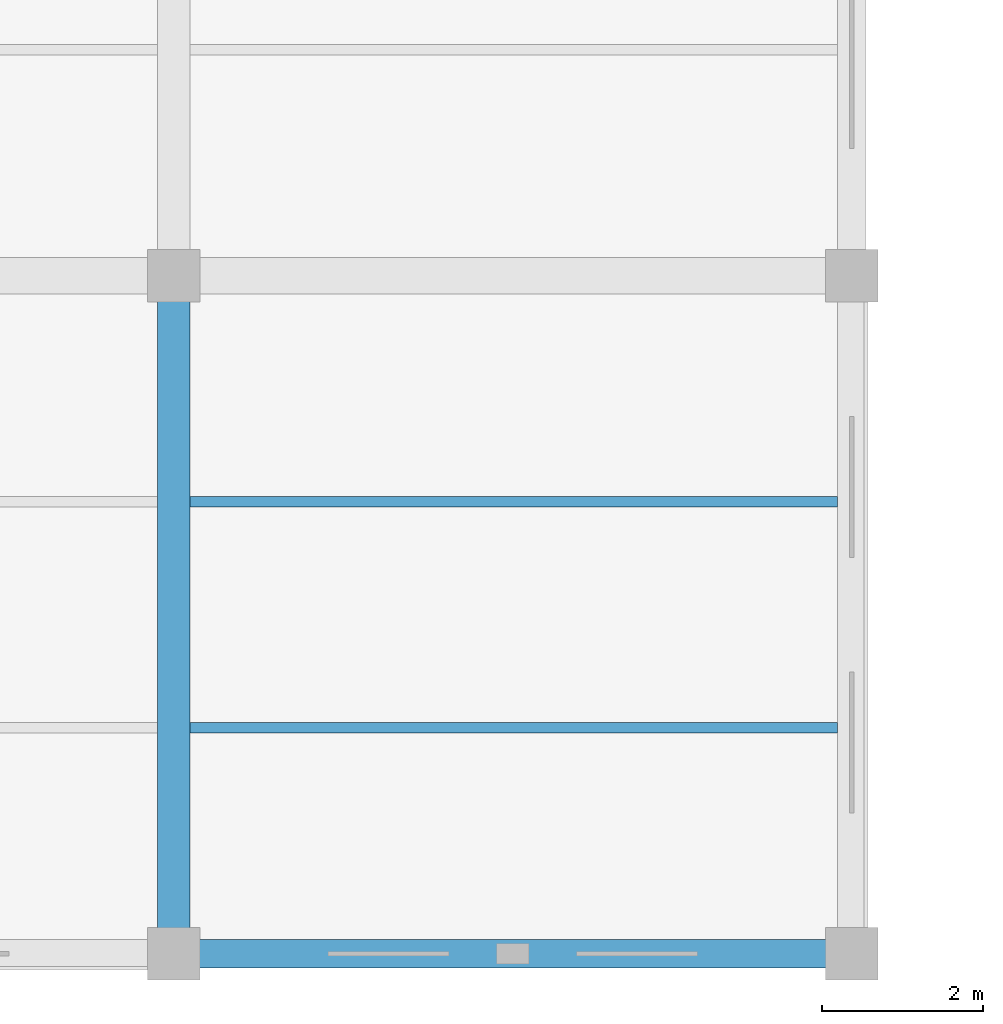
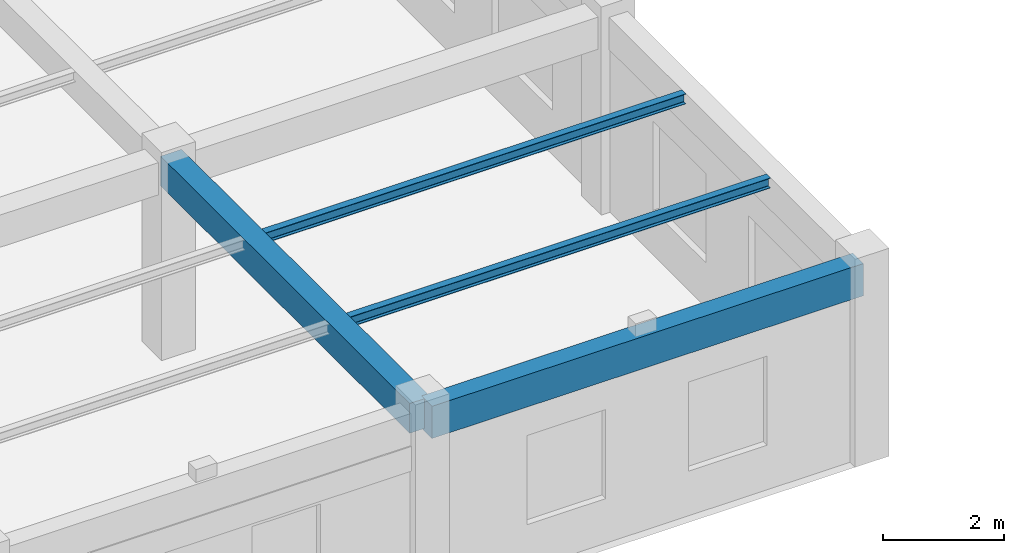
# One storey, part 17 of 138: 4 beams.
"""IFC4 building model written with IfcOpenShell, lengths in metres."""

import ifcopenshell
import ifcopenshell.guid

model = None  # the IFC model being written
_history = None  # IfcOwnerHistory: only IFC2X3 demands one
_inside = {}  # id of a spatial element -> (the spatial element, [elements in it])
_under = {}  # id of a project, library or spatial element -> (it, [spatial elements below it])
_declared = {}  # id of a project -> (the project, [libraries it declares])
_typed = {}  # id of a type object -> (the type object, [elements of that type])
_made_of = {}  # id of a material, layer set ... -> (it, [elements and type objects made of it])


def new_model(schema):
    """Start an empty IFC model of exactly this schema.

    Asked for "IFC4X3", IfcOpenShell would pick the latest addendum, in which some entities
    have other attributes; the version numbers below select the first issue.
    IFC2X3 requires an IfcOwnerHistory on every rooted entity: one is made here for all.
    """
    global model, _history
    if schema == "IFC4X3":
        model = ifcopenshell.file(schema_version=(4, 3, 0, 0))
    else:
        model = ifcopenshell.file(schema=schema)
    _inside.clear()
    _under.clear()
    _declared.clear()
    _typed.clear()
    _made_of.clear()
    _history = None
    if model.schema == "IFC2X3":
        org = make("IfcOrganization", Name="unknown")
        user = make(
            "IfcPersonAndOrganization",
            ThePerson=make("IfcPerson", FamilyName="unknown"),
            TheOrganization=org,
        )
        app = make(
            "IfcApplication",
            ApplicationDeveloper=org,
            Version="unknown",
            ApplicationFullName="unknown",
            ApplicationIdentifier="unknown",
        )
        _history = make(
            "IfcOwnerHistory",
            OwningUser=user,
            OwningApplication=app,
            ChangeAction="ADDED",
            CreationDate=0,
        )
    return model


def make(cls, **values):
    """One entity of the class cls with the attributes given. An attribute that is None is left unset."""
    return model.create_entity(
        cls, **{name: value for name, value in values.items() if value is not None}
    )


def rooted(cls, **values):
    """An entity with a GlobalId (a new one), such as an element, a storey or a relation."""
    return make(cls, GlobalId=ifcopenshell.guid.new(), OwnerHistory=_history, **values)


def si_unit(unit_type, name, prefix=None):
    """IfcSIUnit, for example si_unit("LENGTHUNIT", "METRE", prefix="MILLI")."""
    return make("IfcSIUnit", UnitType=unit_type, Prefix=prefix, Name=name)


def assignment(units):
    """IfcUnitAssignment: the units of a project."""
    return None if units is None else make("IfcUnitAssignment", Units=units)


def point(xyz):
    """IfcCartesianPoint."""
    return None if xyz is None else make("IfcCartesianPoint", Coordinates=xyz)


def direction(xyz):
    """IfcDirection."""
    return None if xyz is None else make("IfcDirection", DirectionRatios=xyz)


def frame(location, z_axis=None, x_axis=None):
    """IfcAxis2Placement3D, a coordinate frame: its origin and axes. An axis left out is left unset."""
    return make(
        "IfcAxis2Placement3D",
        Location=point(location),
        Axis=direction(z_axis),
        RefDirection=direction(x_axis),
    )


def frame_2d(location, x_axis=None):
    """IfcAxis2Placement2D, a coordinate frame in the plane: its origin and x axis."""
    return make(
        "IfcAxis2Placement2D", Location=point(location), RefDirection=direction(x_axis)
    )


def origin():
    """The frame at (0, 0, 0) with its axes left unset."""
    return frame((0.0, 0.0, 0.0))


def origin_2d():
    """The frame at (0, 0) in the plane with its x axis left unset."""
    return frame_2d((0.0, 0.0))


def place(relative_to, where):
    """IfcLocalPlacement: puts the frame where relative to a parent placement (None: the world)."""
    return make(
        "IfcLocalPlacement", PlacementRelTo=relative_to, RelativePlacement=where
    )


def context(
    kind, dimensions, precision=None, world=None, true_north=None, identifier=None
):
    """IfcGeometricRepresentationContext, for example the 3D "Model" context."""
    return make(
        "IfcGeometricRepresentationContext",
        ContextIdentifier=identifier,
        ContextType=kind,
        CoordinateSpaceDimension=dimensions,
        Precision=precision,
        WorldCoordinateSystem=world,
        TrueNorth=true_north,
    )


def subcontext(parent, identifier, kind, view, scale=None):
    """IfcGeometricRepresentationSubContext, for example "Body" below "Model"."""
    return make(
        "IfcGeometricRepresentationSubContext",
        ContextIdentifier=identifier,
        ContextType=kind,
        ParentContext=parent,
        TargetScale=scale,
        TargetView=view,
    )


def project(units=None, contexts=None):
    """IfcProject with its units and contexts."""
    return rooted(
        "IfcProject",
        Name="project",
        RepresentationContexts=contexts,
        UnitsInContext=assignment(units),
    )


def spatial(cls, under=None, at=None, **own):
    """A site, building, storey or space (cls), placed at a placement, below another one or the project."""
    s = rooted(cls, ObjectPlacement=at, **own)
    if under is not None:
        _under.setdefault(under.id(), (under, []))[1].append(s)
    return s


def profile(cls, at=None, kind="AREA", **sizes):
    """A parametric profile (cls). Its sizes go by their IFC names, for example OverallWidth=200.0."""
    return make(cls, ProfileType=kind, Position=at, **sizes)


def rectangle(**sizes):
    """IfcRectangleProfileDef."""
    return profile("IfcRectangleProfileDef", **sizes)


def i_section(**sizes):
    """IfcIShapeProfileDef."""
    return profile("IfcIShapeProfileDef", **sizes)


def extrude(swept, where, along, depth):
    """IfcExtrudedAreaSolid: the profile swept, set in the frame where, extruded along a direction by depth."""
    return make(
        "IfcExtrudedAreaSolid",
        SweptArea=swept,
        Position=where,
        ExtrudedDirection=direction(along),
        Depth=depth,
    )


def shape(context_of_items, identifier, shape_type, items):
    """IfcShapeRepresentation: the items that make up one representation, for example the "Body"."""
    return make(
        "IfcShapeRepresentation",
        ContextOfItems=context_of_items,
        RepresentationIdentifier=identifier,
        RepresentationType=shape_type,
        Items=items,
    )


def material(Name=None, Category=None):
    """IfcMaterial."""
    return make("IfcMaterial", Name=Name, Category=Category)


def material_profile(
    of_material, cross_section, Name=None, Category=None, Priority=None
):
    """IfcMaterialProfile: a cross section and its material."""
    return make(
        "IfcMaterialProfile",
        Name=Name,
        Material=of_material,
        Profile=cross_section,
        Priority=Priority,
        Category=Category,
    )


def profile_set(profiles, Name=None, composite=None):
    """IfcMaterialProfileSet."""
    return make(
        "IfcMaterialProfileSet",
        Name=Name,
        MaterialProfiles=profiles,
        CompositeProfile=composite,
    )


def made_of(thing, what):
    """Note that an element or type object is made of a material, layer set ...; save() writes the relation."""
    if what is not None:
        _made_of.setdefault(what.id(), (what, []))[1].append(thing)
    return thing


def type_object(cls, material=None, **own):
    """A type object (cls), such as IfcWallType, which elements share."""
    return made_of(rooted(cls, **own), material)


def element(
    cls,
    number,
    at=None,
    inside=None,
    cuts=None,
    type_object=None,
    material=None,
    context=None,
    identifier="Body",
    shape_type=None,
    held_by="IfcProductDefinitionShape",
    body=None,
    shapes=None,
    **own,
):
    """One element of the class cls, such as IfcWall. Its Tag is "e" and its number.

    at: its placement. inside: the storey or other place that contains it. cuts: it is an
    opening in that element (IfcRelVoidsElement). A single representation is given by context,
    identifier, shape_type and body (its items); several are given by shapes. held_by: the class
    of the entity that holds the representations. save() writes the other relations.
    """
    e = rooted(cls, Tag="e%d" % number, ObjectPlacement=at, **own)
    if body is not None:
        shapes = [shape(context, identifier, shape_type, body)]
    if shapes is not None:
        e.Representation = make(held_by, Representations=shapes)
    if inside is not None:
        _inside.setdefault(inside.id(), (inside, []))[1].append(e)
    if cuts is not None:
        rooted(
            "IfcRelVoidsElement", RelatingBuildingElement=cuts, RelatedOpeningElement=e
        )
    if type_object is not None:
        _typed.setdefault(type_object.id(), (type_object, []))[1].append(e)
    return made_of(e, material)


def aggregate(whole, parts):
    """IfcRelAggregates: a whole, such as a stair, and the parts it consists of."""
    return rooted("IfcRelAggregates", RelatingObject=whole, RelatedObjects=parts)


def save(model, path):
    """Write the relations noted so far, then the file.

    IfcRelAggregates (storeys below a building ...), IfcRelContainedInSpatialStructure (elements
    in a storey), IfcRelDefinesByType, IfcRelAssociatesMaterial and IfcRelDeclares: one each for
    every whole, place, type object, material and project.
    """
    for whole, parts in _under.values():
        aggregate(whole, parts)
    for where, things in _inside.values():
        rooted(
            "IfcRelContainedInSpatialStructure",
            RelatedElements=things,
            RelatingStructure=where,
        )
    for kind, things in _typed.values():
        rooted("IfcRelDefinesByType", RelatedObjects=things, RelatingType=kind)
    for what, things in _made_of.values():
        rooted("IfcRelAssociatesMaterial", RelatedObjects=things, RelatingMaterial=what)
    for by, libraries in _declared.values():
        rooted("IfcRelDeclares", RelatingContext=by, RelatedDefinitions=libraries)
    model.write(path)


model = new_model("IFC4")

# Units and contexts
model_context = context("Model", 3, precision=1e-05, world=origin(), true_north=direction((0.0, 1.0)))
body_context = subcontext(model_context, "Body", "Model", "MODEL_VIEW")
ifc_project = project(units=[si_unit("LENGTHUNIT", "METRE"), si_unit("AREAUNIT", "SQUARE_METRE"), si_unit("VOLUMEUNIT", "CUBIC_METRE"), si_unit("PLANEANGLEUNIT", "RADIAN"), si_unit("MASSUNIT", "GRAM", prefix="KILO"), si_unit("THERMODYNAMICTEMPERATUREUNIT", "KELVIN"), si_unit("POWERUNIT", "WATT")], contexts=[model_context])

# Site, building, storey
site_placement = place(None, origin())
site = spatial("IfcSite", under=ifc_project, at=site_placement, CompositionType="ELEMENT")
building_placement = place(site_placement, origin())
building = spatial("IfcBuilding", under=site, at=building_placement, Name="Darbajah Civic Hall", CompositionType="ELEMENT")
storey_placement = place(building_placement, frame((0.0, 0.0, 9.60009765625)))
storey = spatial("IfcBuildingStorey", under=building, at=storey_placement, Name="L02", CompositionType="ELEMENT", Elevation=9.60009765625)

# Beams
ifc_material_1 = material(Name="Concrete C45/55", Category="concrete")
ifc_material_profile_1 = material_profile(ifc_material_1, rectangle(XDim=0.39990234375, YDim=0.60009765625, at=origin_2d()), Name="RC BEAM 400x600")
ifc_profile_set_1 = profile_set([ifc_material_profile_1], Name="Concrete C45/55")
beam_type_1 = type_object("IfcBeamType", Name="RC BEAM 400x600", PredefinedType="BEAM", material=ifc_profile_set_1)
beam_1_placement = place(storey_placement, frame((58.800048828125, 0.080078125, 3.639892578125), z_axis=(0.0, 1.0, 0.0), x_axis=(-1.0, 0.0, 0.0)))
element("IfcBeam", 1, at=beam_1_placement, inside=storey, type_object=beam_type_1, Name="L02 beam BM-4060", PredefinedType="BEAM", context=body_context, shape_type="SweptSolid", body=[
    extrude(rectangle(XDim=0.39990234375, YDim=0.60009765625, at=origin_2d()), origin(), (0.0, 0.0, 1.0), 8.239990234375),
])
ifc_material_profile_2 = material_profile(ifc_material_1, rectangle(XDim=0.35009765625, YDim=0.64990234375, at=origin_2d()), Name="RC SPANDREL 350x650")
ifc_profile_set_2 = profile_set([ifc_material_profile_2], Name="Concrete C45/55")
beam_type_2 = type_object("IfcBeamType", Name="RC SPANDREL 350x650", PredefinedType="SPANDREL", material=ifc_profile_set_2)
beam_2_placement = place(storey_placement, frame((58.8798828125, 0.0, 3.614990234375), z_axis=(1.0, 0.0, 0.0), x_axis=(0.0, 1.0, 0.0)))
element("IfcBeam", 2, at=beam_2_placement, inside=storey, type_object=beam_type_2, Name="L02 beam SP-3565", PredefinedType="SPANDREL", context=body_context, shape_type="SweptSolid", body=[
    extrude(rectangle(XDim=0.35009765625, YDim=0.64990234375, at=origin_2d()), origin(), (0.0, 0.0, 1.0), 8.240234375),
])
ifc_material_2 = material(Name="Steel S355JR", Category="steel")
ifc_material_profile_3 = material_profile(ifc_material_2, i_section(OverallWidth=0.1337890625, OverallDepth=0.206787109375, WebThickness=0.00634765625, FlangeThickness=0.009521484375, FilletRadius=0.007568359375, at=origin_2d()), Name="UB 203x133x30")
ifc_profile_set_3 = profile_set([ifc_material_profile_3], Name="Steel S355JR")
beam_type_3 = type_object("IfcBeamType", Name="UB 203x133x30", PredefinedType="JOIST", material=ifc_profile_set_3)
for number, where, z_axis, x_axis, name in (
    (3, (59.0, 2.800048828125, 3.83642578125), (1.0, 0.0, 0.0), (0.0, 1.0, 0.0), "L02 beam SJ-203"),
    (4, (59.0, 5.60009765625, 3.83642578125), (1.0, 0.0, 0.0), (0.0, 1.0, 0.0), "L02 beam SJ-203"),
):
    element("IfcBeam", number, at=place(storey_placement, frame(where, z_axis=z_axis, x_axis=x_axis)), inside=storey, type_object=beam_type_3, Name=name, PredefinedType="JOIST", context=body_context, shape_type="SweptSolid", body=[
        extrude(i_section(OverallWidth=0.1337890625, OverallDepth=0.206787109375, WebThickness=0.00634765625, FlangeThickness=0.009521484375, FilletRadius=0.007568359375, at=origin_2d()), origin(), (0.0, 0.0, 1.0), 8.02490234375),
    ])

save(model, "model.ifc")
